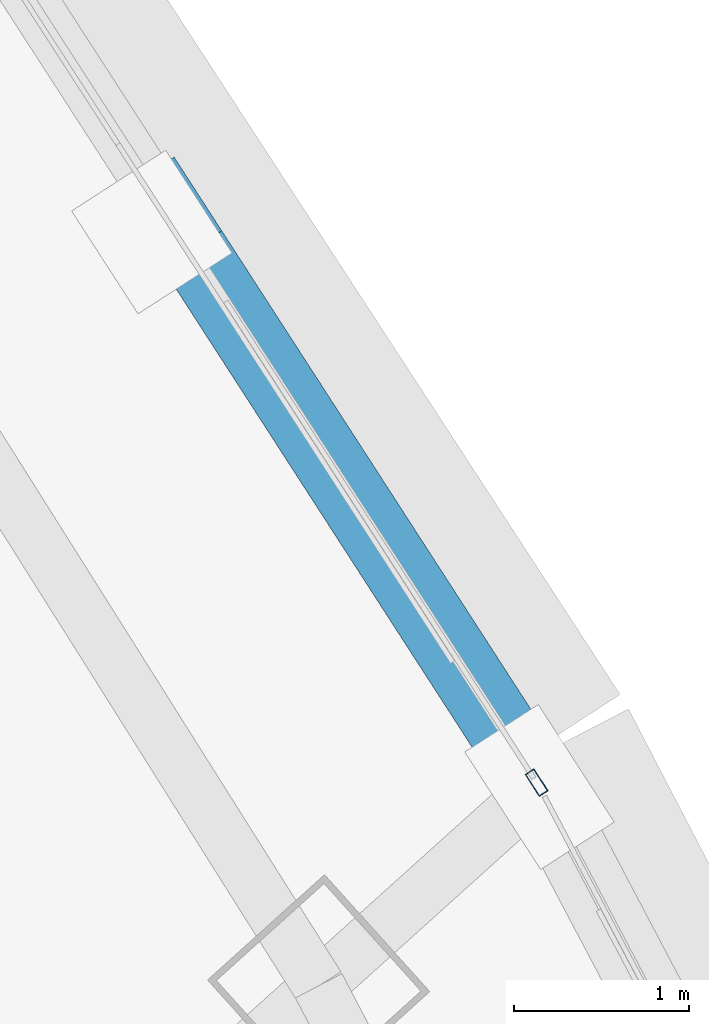
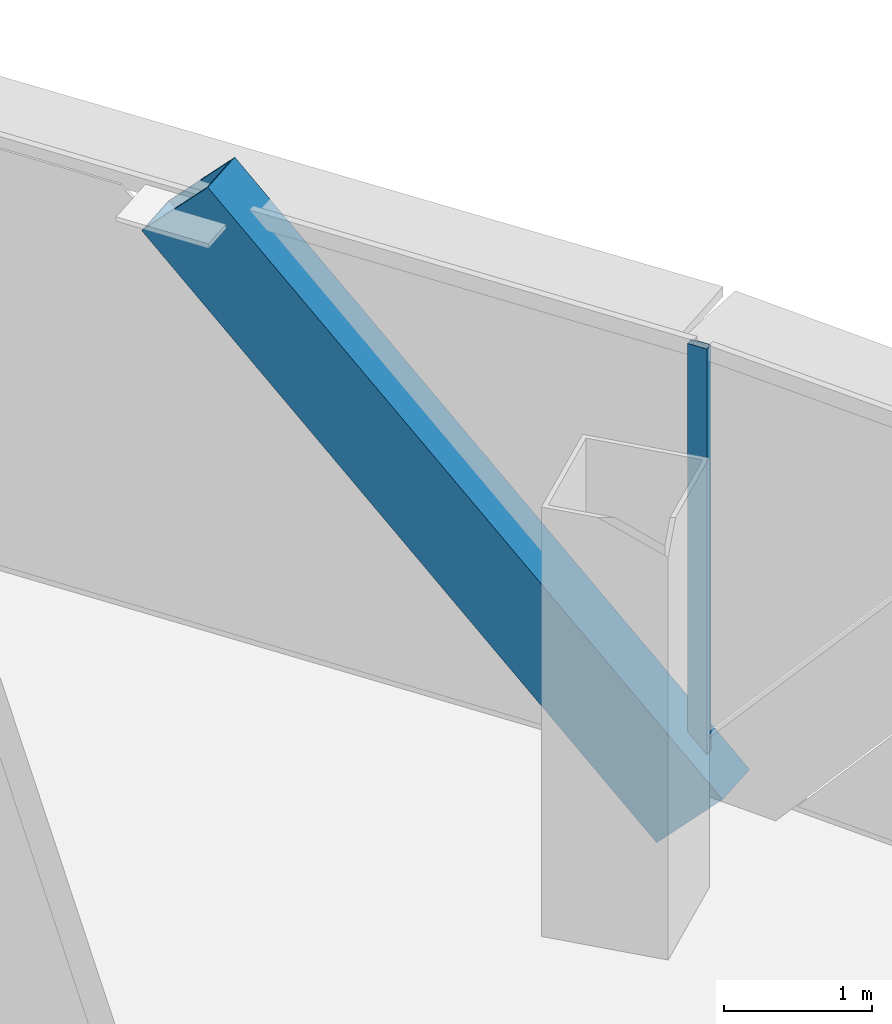
# One storey, part 20 of 37: 2 members, 1 element without a shape of its own.
"""IFC4 building model written with IfcOpenShell, lengths in metres."""

from ifc_helpers import new_model, si_unit, direction, frame, origin, origin_2d, place, context, subcontext, project, spatial, hollow_rectangle, extrude, source, transform, mapped, material, layer, layer_set, material_profile, profile_set, type_object, element, aggregate, save


model = new_model("IFC4")

# Units and contexts
model_context = context("Model", 3, precision=1e-05, world=origin(), true_north=direction((0.0, 1.0)))
body_context = subcontext(model_context, "Body", "Model", "MODEL_VIEW")
ifc_project = project(units=[si_unit("LENGTHUNIT", "METRE"), si_unit("AREAUNIT", "SQUARE_METRE"), si_unit("VOLUMEUNIT", "CUBIC_METRE"), si_unit("PLANEANGLEUNIT", "RADIAN"), si_unit("MASSUNIT", "GRAM", prefix="KILO"), si_unit("THERMODYNAMICTEMPERATUREUNIT", "KELVIN"), si_unit("POWERUNIT", "WATT")], contexts=[model_context])

# Site, building, storey
site_placement = place(None, origin())
site = spatial("IfcSite", under=ifc_project, at=site_placement, CompositionType="ELEMENT")
building_placement = place(site_placement, origin())
building = spatial("IfcBuilding", under=site, at=building_placement, Name="Yunzhuo Pagoda Commons", CompositionType="ELEMENT")
storey_placement = place(building_placement, frame((0.0, 0.0, 207.56005859375)))
storey = spatial("IfcBuildingStorey", under=building, at=storey_placement, Name="L52", CompositionType="ELEMENT", Elevation=207.56005859375)

# Member
ifc_material_1 = material(Name="Structural steel Q355B", Category="steel")
ifc_material_profile_1 = material_profile(ifc_material_1, hollow_rectangle(XDim=0.39990234375, YDim=0.719970703125, WallThickness=0.02392578125, at=origin_2d()), Name="Structural steel Q355B")
ifc_profile_set_1 = profile_set([ifc_material_profile_1], Name="Structural steel Q355B")
member_type_1 = type_object("IfcMemberType", Name="M-DL2 Brace BOX 720x400x24", PredefinedType="BRACE", material=ifc_profile_set_1)
shared_shape_1 = source(origin(), body_context, "Body", "SweptSolid", [
    extrude(hollow_rectangle(XDim=0.39990234375, YDim=0.719970703125, WallThickness=0.02392578125, at=origin_2d()), origin(), (0.0, 0.0, 1.0), 5.45068359375),
])
member_1_placement = place(storey_placement, frame((71.9130859375, 55.2314453125, -0.260009765625), z_axis=(-0.389012502589, 0.602174333311, 0.697176695774), x_axis=(-0.839970557763, -0.542631976657, 0.0)))
element("IfcMember", 1, at=member_1_placement, inside=storey, type_object=member_type_1, Name="L52 facade diamond brace F2.3L", PredefinedType="BRACE", context=body_context, shape_type="MappedRepresentation", body=[
    mapped(shared_shape_1, transform((0.0, 0.0, 0.0), scale=1.0)),
])

# Curtain wall, member
ifc_material_2 = material(Name="Anodized aluminium 6063-T6", Category="aluminium")
ifc_layer = layer(ifc_material_2, 0.14990234375)
ifc_layer_set = layer_set([ifc_layer], Name="Anodized aluminium 6063-T6")
curtain_wall_type = type_object("IfcCurtainWallType", Name="CW-MID Mid-Zone Ribbon Curtain Wall", PredefinedType="NOTDEFINED", material=ifc_layer_set)
curtain_wall_placement = place(storey_placement, origin())
curtain_wall = element("IfcCurtainWall", 2, at=curtain_wall_placement, inside=storey, type_object=curtain_wall_type, Name="L52 curtain wall CW-L52-F2B4", PredefinedType="NOTDEFINED")
ifc_material_profile_2 = material_profile(ifc_material_2, hollow_rectangle(XDim=0.06005859375, YDim=0.14990234375, WallThickness=0.00390625, at=origin_2d()), Name="Anodized aluminium 6063-T6")
ifc_profile_set_2 = profile_set([ifc_material_profile_2], Name="Anodized aluminium 6063-T6")
member_type_2 = type_object("IfcMemberType", Name="CW-MID-M Mullion RHS 150x60x4", PredefinedType="MULLION", material=ifc_profile_set_2)
shared_shape_2 = source(origin(), body_context, "Body", "SweptSolid", [
    extrude(hollow_rectangle(XDim=0.06005859375, YDim=0.14990234375, WallThickness=0.00390625, at=origin_2d()), origin(), (0.0, 0.0, 1.0), 3.5400390625),
])
member_2_placement = place(storey_placement, frame((71.89697265625, 55.256591796875, 0.0), z_axis=(0.0, 0.0, 1.0), x_axis=(-0.839965077478, -0.542640459805, 0.0)))
member_2 = element("IfcMember", 3, at=member_2_placement, type_object=member_type_2, Name="CW mullion 1", PredefinedType="MULLION", context=body_context, shape_type="MappedRepresentation", body=[
    mapped(shared_shape_2, transform((0.0, 0.0, 0.0), scale=1.0)),
])
aggregate(curtain_wall, [member_2])

save(model, "model.ifc")
